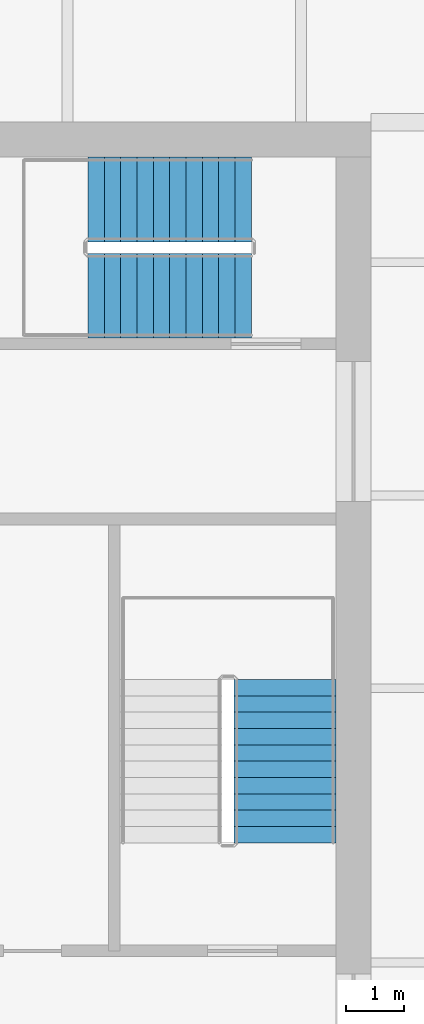
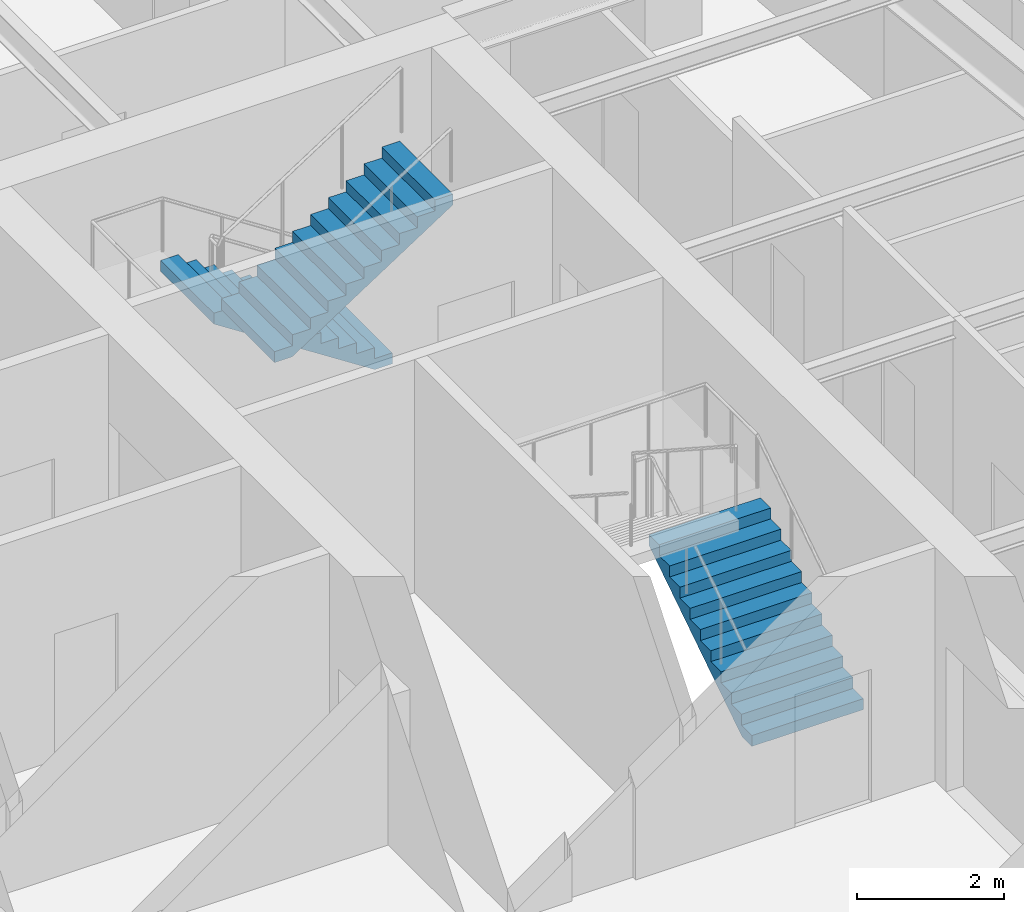
# One storey, part 9 of 11: 3 stair flights, 2 elements without a shape of their own.
"""IFC4 building model written with IfcOpenShell, lengths in metres."""

from ifc_helpers import new_model, si_unit, direction, frame, origin, place, context, subcontext, project, spatial, polyline, outline, extrude, material, type_object, element, aggregate, save


model = new_model("IFC4")

# Units and contexts
model_context = context("Model", 3, precision=1e-05, world=origin(), true_north=direction((0.0, 1.0)))
body_context = subcontext(model_context, "Body", "Model", "MODEL_VIEW")
ifc_project = project(units=[si_unit("LENGTHUNIT", "METRE"), si_unit("AREAUNIT", "SQUARE_METRE"), si_unit("VOLUMEUNIT", "CUBIC_METRE"), si_unit("PLANEANGLEUNIT", "RADIAN"), si_unit("MASSUNIT", "GRAM", prefix="KILO")], contexts=[model_context])

# Site, building, storey
site_placement = place(None, origin())
site = spatial("IfcSite", under=ifc_project, at=site_placement, CompositionType="ELEMENT")
building_placement = place(site_placement, origin())
building = spatial("IfcBuilding", under=site, at=building_placement, Name="Verdant Reach Tower", CompositionType="ELEMENT")
storey_placement = place(building_placement, frame((0.0, 0.0, 314.0)))
storey = spatial("IfcBuildingStorey", under=building, at=storey_placement, Name="L72", CompositionType="ELEMENT", Elevation=314.0)

# Stair, stair flight
ifc_material = material(Name="Concrete C40/50", Category="concrete")
stair_type = type_object("IfcStairType", Name="CO-STAIR", PredefinedType="HALF_TURN_STAIR", material=ifc_material)
stair_1_placement = place(storey_placement, origin())
stair_1 = element("IfcStair", 1, at=stair_1_placement, inside=storey, type_object=stair_type, Name="L72 Exit stair 2", PredefinedType="HALF_TURN_STAIR")
stair_flight_type = type_object("IfcStairFlightType", Name="CO-STAIR-FLIGHT", PredefinedType="STRAIGHT", material=ifc_material)
stair_flight_1_placement = place(storey_placement, frame((11.72509765625, 25.85009765625, 0.0), z_axis=(0.0, 0.0, 1.0), x_axis=(0.0, 1.0, 0.0)))
stair_flight_1 = element("IfcStairFlight", 2, at=stair_flight_1_placement, type_object=stair_flight_type, Name="ST-2 flight 1", NumberOfRisers=11, NumberOfTreads=10, PredefinedType="STRAIGHT", RiserHeight=0.181818182, TreadLength=0.28, context=body_context, shape_type="SweptSolid", body=[
    extrude(outline(polyline([(0.0, 0.0), (0.0, 0.181884765625), (0.280029296875, 0.181884765625), (0.280029296875, 0.363525390625), (0.56005859375, 0.363525390625), (0.56005859375, 0.54541015625), (0.840087890625, 0.54541015625), (0.840087890625, 0.727294921875), (1.1201171875, 0.727294921875), (1.1201171875, 0.9091796875), (1.39990234375, 0.9091796875), (1.39990234375, 1.0908203125), (1.679931640625, 1.0908203125), (1.679931640625, 1.272705078125), (1.9599609375, 1.272705078125), (1.9599609375, 1.45458984375), (2.239990234375, 1.45458984375), (2.239990234375, 1.636474609375), (2.52001953125, 1.636474609375), (2.52001953125, 1.818115234375), (2.800048828125, 1.818115234375), (2.800048828125, 2.0), (2.800048828125, 1.639404296875), (0.275146484375, 0.0), (0.0, 0.0)])), frame((0.0, 0.875, 0.0), z_axis=(0.0, -1.0, 0.0), x_axis=(1.0, 0.0, 0.0)), (0.0, 0.0, 1.0), 1.75),
])
aggregate(stair_1, [stair_flight_1])

# Stair, stair flights
stair_2_placement = place(storey_placement, origin())
stair_2 = element("IfcStair", 3, at=stair_2_placement, inside=storey, type_object=stair_type, Name="L72 Exit stair 3", PredefinedType="HALF_TURN_STAIR")
stair_flight_2_placement = place(storey_placement, frame((11.14990234375, 36.875, 0.0), z_axis=(0.0, 0.0, 1.0), x_axis=(-1.0, 0.0, 0.0)))
stair_flight_2 = element("IfcStairFlight", 4, at=stair_flight_2_placement, type_object=stair_flight_type, Name="ST-3 flight 1", NumberOfRisers=11, NumberOfTreads=10, PredefinedType="STRAIGHT", RiserHeight=0.181818182, TreadLength=0.28, context=body_context, shape_type="SweptSolid", body=[
    extrude(outline(polyline([(0.0, 0.0), (0.0, 0.181884765625), (0.280029296875, 0.181884765625), (0.280029296875, 0.363525390625), (0.56005859375, 0.363525390625), (0.56005859375, 0.54541015625), (0.840087890625, 0.54541015625), (0.840087890625, 0.727294921875), (1.1201171875, 0.727294921875), (1.1201171875, 0.9091796875), (1.39990234375, 0.9091796875), (1.39990234375, 1.0908203125), (1.679931640625, 1.0908203125), (1.679931640625, 1.272705078125), (1.9599609375, 1.272705078125), (1.9599609375, 1.45458984375), (2.239990234375, 1.45458984375), (2.239990234375, 1.636474609375), (2.52001953125, 1.636474609375), (2.52001953125, 1.818115234375), (2.800048828125, 1.818115234375), (2.800048828125, 2.0), (2.800048828125, 1.639404296875), (0.275146484375, 0.0), (0.0, 0.0)])), frame((0.0, 0.72509765625, 0.0), z_axis=(0.0, -1.0, 0.0), x_axis=(1.0, 0.0, 0.0)), (0.0, 0.0, 1.0), 1.449951171875),
])
stair_flight_3_placement = place(storey_placement, frame((8.35009765625, 35.22509765625, 2.0), z_axis=(0.0, 0.0, 1.0), x_axis=(1.0, 0.0, 0.0)))
stair_flight_3 = element("IfcStairFlight", 5, at=stair_flight_3_placement, type_object=stair_flight_type, Name="ST-3 flight 2", NumberOfRisers=11, NumberOfTreads=10, PredefinedType="STRAIGHT", RiserHeight=0.181818182, TreadLength=0.28, context=body_context, shape_type="SweptSolid", body=[
    extrude(outline(polyline([(0.0, 0.0), (0.0, 0.181884765625), (0.280029296875, 0.181884765625), (0.280029296875, 0.363525390625), (0.56005859375, 0.363525390625), (0.56005859375, 0.54541015625), (0.840087890625, 0.54541015625), (0.840087890625, 0.727294921875), (1.1201171875, 0.727294921875), (1.1201171875, 0.9091796875), (1.39990234375, 0.9091796875), (1.39990234375, 1.0908203125), (1.679931640625, 1.0908203125), (1.679931640625, 1.272705078125), (1.9599609375, 1.272705078125), (1.9599609375, 1.45458984375), (2.239990234375, 1.45458984375), (2.239990234375, 1.636474609375), (2.52001953125, 1.636474609375), (2.52001953125, 1.818115234375), (2.800048828125, 1.818115234375), (2.800048828125, 2.0), (2.800048828125, 1.639404296875), (0.275146484375, 0.0), (0.0, 0.0)])), frame((0.0, 0.72509765625, 0.0), z_axis=(0.0, -1.0, 0.0), x_axis=(1.0, 0.0, 0.0)), (0.0, 0.0, 1.0), 1.449951171875),
])
aggregate(stair_2, [stair_flight_2, stair_flight_3])

save(model, "model.ifc")
